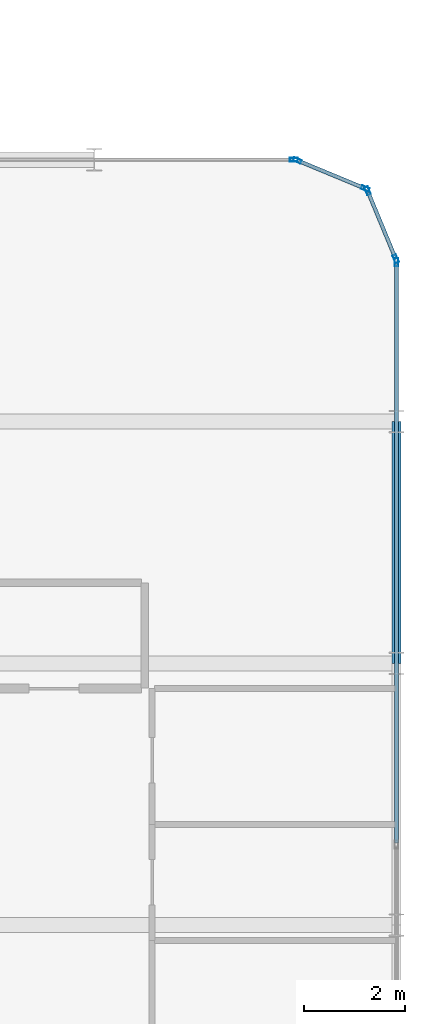
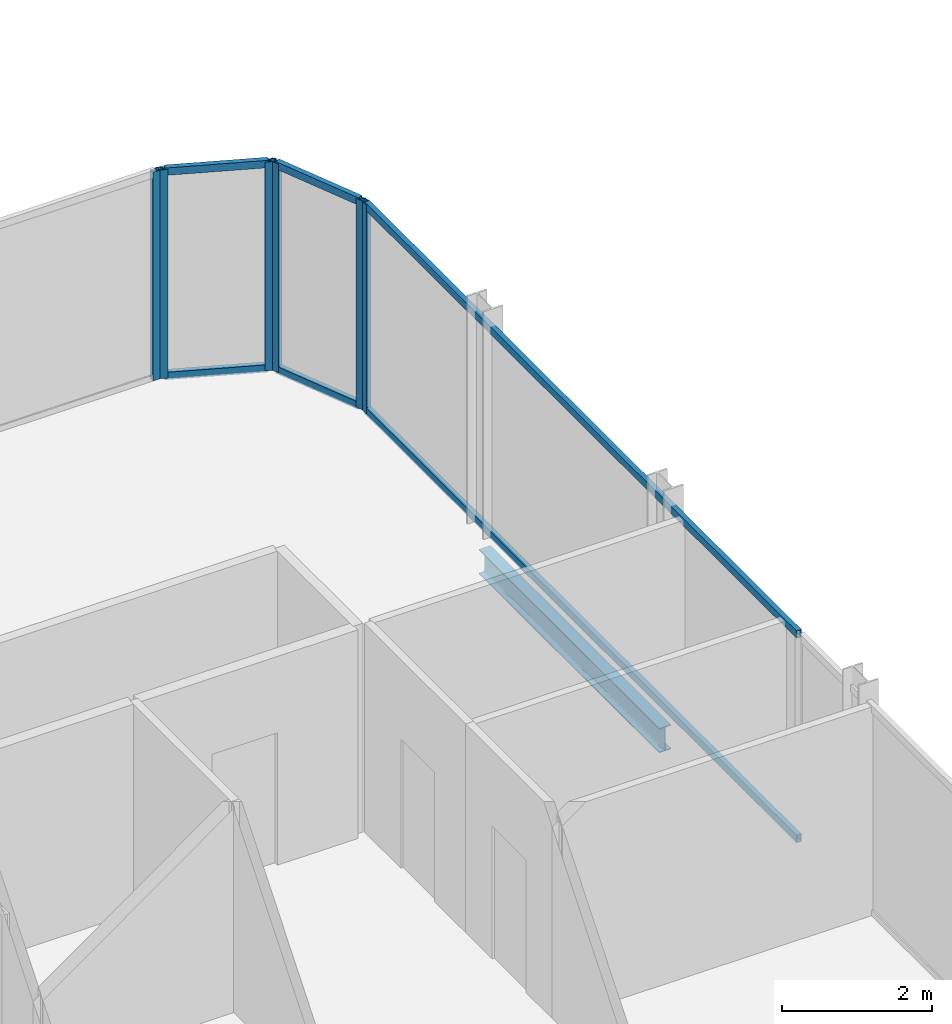
# One storey, part 15 of 29: 12 members, 1 beam, 4 elements without a shape of their own.
"""IFC4 building model written with IfcOpenShell, lengths in metres."""

from ifc_helpers import new_model, si_unit, direction, frame, origin, origin_2d, place, context, subcontext, project, spatial, hollow_rectangle, i_section, extrude, material, layer, layer_set, material_profile, profile_set, type_object, element, aggregate, save


model = new_model("IFC4")

# Units and contexts
model_context = context("Model", 3, precision=1e-05, world=origin(), true_north=direction((0.0, 1.0)))
body_context = subcontext(model_context, "Body", "Model", "MODEL_VIEW")
ifc_project = project(units=[si_unit("LENGTHUNIT", "METRE"), si_unit("AREAUNIT", "SQUARE_METRE"), si_unit("VOLUMEUNIT", "CUBIC_METRE"), si_unit("PLANEANGLEUNIT", "RADIAN"), si_unit("MASSUNIT", "GRAM", prefix="KILO")], contexts=[model_context])

# Site, building, storey
site_placement = place(None, origin())
site = spatial("IfcSite", under=ifc_project, at=site_placement, CompositionType="ELEMENT")
building_placement = place(site_placement, origin())
building = spatial("IfcBuilding", under=site, at=building_placement, Name="Keshet Zoharim Tower", CompositionType="ELEMENT")
storey_placement = place(building_placement, frame((0.0, 0.0, 222.800048828125)))
storey = spatial("IfcBuildingStorey", under=building, at=storey_placement, Name="L55", CompositionType="ELEMENT", Elevation=222.800048828125)

# Beam
ifc_material_1 = material(Name="Steel S355", Category="steel")
ifc_material_profile_1 = material_profile(ifc_material_1, i_section(OverallWidth=0.179931640625, OverallDepth=0.39990234375, WebThickness=0.008544921875, FlangeThickness=0.013427734375, FilletRadius=0.02099609375, at=origin_2d()), Name="IPE400")
ifc_profile_set_1 = profile_set([ifc_material_profile_1], Name="Steel S355")
beam_type = type_object("IfcBeamType", Name="BM-PRI-IP400", PredefinedType="BEAM", material=ifc_profile_set_1)
beam_placement = place(storey_placement, frame((57.0, 17.89990234375, -0.510009765625), z_axis=(0.0, 1.0, 0.0), x_axis=(-1.0, 0.0, 0.0)))
element("IfcBeam", 1, at=beam_placement, inside=storey, type_object=beam_type, Name="L55 Primary Girder Y-015", PredefinedType="BEAM", context=body_context, shape_type="SweptSolid", body=[
    extrude(i_section(OverallWidth=0.179931640625, OverallDepth=0.39990234375, WebThickness=0.008544921875, FlangeThickness=0.013427734375, FilletRadius=0.02099609375, at=origin_2d()), origin(), (0.0, 0.0, 1.0), 4.800048828125),
])

# Curtain wall, members
ifc_material_2 = material(Name="Aluminium 6063-T6", Category="aluminium")
ifc_layer = layer(ifc_material_2, 0.139892578125)
ifc_layer_set = layer_set([ifc_layer], Name="Aluminium 6063-T6")
curtain_wall_type = type_object("IfcCurtainWallType", Name="CW-SYS-05", PredefinedType="NOTDEFINED", material=ifc_layer_set)
curtain_wall_1_placement = place(storey_placement, origin())
curtain_wall_1 = element("IfcCurtainWall", 2, at=curtain_wall_1_placement, inside=storey, type_object=curtain_wall_type, Name="L55 Unitised Curtain Wall 01", PredefinedType="NOTDEFINED")
ifc_material_profile_2 = material_profile(ifc_material_2, hollow_rectangle(XDim=0.074951171875, YDim=0.159912109375, WallThickness=0.00390625, at=origin_2d()), Name="MUL-75x160")
ifc_profile_set_2 = profile_set([ifc_material_profile_2], Name="Aluminium 6063-T6")
member_type_1 = type_object("IfcMemberType", Name="CWM-M15", PredefinedType="MULLION", material=ifc_profile_set_2)
member_1_placement = place(storey_placement, frame((55.0322265625, 27.88671875, 0.0), z_axis=(0.0, 0.0, 1.0), x_axis=(0.382851849847, 0.92380975372, 0.0)))
member_1 = element("IfcMember", 3, at=member_1_placement, type_object=member_type_1, Name="CW-05 mullion 1", PredefinedType="MULLION", context=body_context, shape_type="SweptSolid", body=[
    extrude(hollow_rectangle(XDim=0.074951171875, YDim=0.159912109375, WallThickness=0.00390625, at=origin_2d()), origin(), (0.0, 0.0, 1.0), 3.389892578125),
])
member_2_placement = place(storey_placement, frame((56.381591796875, 27.327392578125, 0.0), z_axis=(0.0, 0.0, 1.0), x_axis=(0.382851849847, 0.92380975372, 0.0)))
member_2 = element("IfcMember", 4, at=member_2_placement, type_object=member_type_1, Name="CW-05 mullion 2", PredefinedType="MULLION", context=body_context, shape_type="SweptSolid", body=[
    extrude(hollow_rectangle(XDim=0.074951171875, YDim=0.159912109375, WallThickness=0.00390625, at=origin_2d()), origin(), (0.0, 0.0, 1.0), 3.389892578125),
])

curtain_wall_2_placement = place(storey_placement, origin())
curtain_wall_2 = element("IfcCurtainWall", 5, at=curtain_wall_2_placement, inside=storey, type_object=curtain_wall_type, Name="L55 Unitised Curtain Wall 02", PredefinedType="NOTDEFINED")
member_3_placement = place(storey_placement, frame((56.427490234375, 27.28173828125, 0.0), z_axis=(0.0, 0.0, 1.0), x_axis=(0.92380975372, 0.382851849847, 0.0)))
member_3 = element("IfcMember", 6, at=member_3_placement, type_object=member_type_1, Name="CW-05 mullion 1", PredefinedType="MULLION", context=body_context, shape_type="SweptSolid", body=[
    extrude(hollow_rectangle(XDim=0.074951171875, YDim=0.159912109375, WallThickness=0.00390625, at=origin_2d()), origin(), (0.0, 0.0, 1.0), 3.389892578125),
])
member_4_placement = place(storey_placement, frame((56.986572265625, 25.932373046875, 0.0), z_axis=(0.0, 0.0, 1.0), x_axis=(0.92380975372, 0.382851849847, 0.0)))
member_4 = element("IfcMember", 7, at=member_4_placement, type_object=member_type_1, Name="CW-05 mullion 2", PredefinedType="MULLION", context=body_context, shape_type="SweptSolid", body=[
    extrude(hollow_rectangle(XDim=0.074951171875, YDim=0.159912109375, WallThickness=0.00390625, at=origin_2d()), origin(), (0.0, 0.0, 1.0), 3.389892578125),
])

# Curtain wall, member
curtain_wall_3_placement = place(storey_placement, origin())
curtain_wall_3 = element("IfcCurtainWall", 8, at=curtain_wall_3_placement, inside=storey, type_object=curtain_wall_type, Name="L55 Unitised Curtain Wall 03", PredefinedType="NOTDEFINED")
member_5_placement = place(storey_placement, frame((57.0, 25.864990234375, 0.0), z_axis=(0.0, 0.0, 1.0), x_axis=(1.0, 0.0, 0.0)))
member_5 = element("IfcMember", 9, at=member_5_placement, type_object=member_type_1, Name="CW-05 mullion 1", PredefinedType="MULLION", context=body_context, shape_type="SweptSolid", body=[
    extrude(hollow_rectangle(XDim=0.074951171875, YDim=0.159912109375, WallThickness=0.00390625, at=origin_2d()), origin(), (0.0, 0.0, 1.0), 3.389892578125),
])

curtain_wall_4_placement = place(storey_placement, origin())
curtain_wall_4 = element("IfcCurtainWall", 10, at=curtain_wall_4_placement, inside=storey, type_object=curtain_wall_type, Name="L55 Unitised Curtain Wall 20 Part 2", PredefinedType="NOTDEFINED")
member_6_placement = place(storey_placement, frame((54.965087890625, 27.89990234375, 0.0), z_axis=(0.0, 0.0, 1.0), x_axis=(0.0, 1.0, 0.0)))
member_6 = element("IfcMember", 11, at=member_6_placement, type_object=member_type_1, Name="CW-05 mullion 2", PredefinedType="MULLION", context=body_context, shape_type="SweptSolid", body=[
    extrude(hollow_rectangle(XDim=0.074951171875, YDim=0.159912109375, WallThickness=0.00390625, at=origin_2d()), origin(), (0.0, 0.0, 1.0), 3.389892578125),
])
aggregate(curtain_wall_4, [member_6])

# Member
ifc_material_profile_3 = material_profile(ifc_material_2, hollow_rectangle(XDim=0.074951171875, YDim=0.1201171875, WallThickness=0.00390625, at=origin_2d()), Name="TRN-75x120")
ifc_profile_set_3 = profile_set([ifc_material_profile_3], Name="Aluminium 6063-T6")
member_type_2 = type_object("IfcMemberType", Name="CWT-T12", PredefinedType="USERDEFINED", material=ifc_profile_set_3)
member_7_placement = place(storey_placement, frame((55.064697265625, 27.873291015625, 0.034912109375), z_axis=(0.92379209995, -0.382894445076, 0.0), x_axis=(0.382894445076, 0.92379209995, 0.0)))
member_7 = element("IfcMember", 12, at=member_7_placement, type_object=member_type_2, Name="CW-05 transom 1.1", ObjectType="TRANSOM", PredefinedType="USERDEFINED", context=body_context, shape_type="SweptSolid", body=[
    extrude(hollow_rectangle(XDim=0.074951171875, YDim=0.1201171875, WallThickness=0.00390625, at=origin_2d()), origin(), (0.0, 0.0, 1.0), 1.390625),
])

member_8_placement = place(storey_placement, frame((55.064697265625, 27.873291015625, 3.35498046875), z_axis=(0.92379209995, -0.382894445076, 0.0), x_axis=(0.382894445076, 0.92379209995, 0.0)))
member_8 = element("IfcMember", 13, at=member_8_placement, type_object=member_type_2, Name="CW-05 transom 1.2", ObjectType="TRANSOM", PredefinedType="USERDEFINED", context=body_context, shape_type="SweptSolid", body=[
    extrude(hollow_rectangle(XDim=0.074951171875, YDim=0.1201171875, WallThickness=0.00390625, at=origin_2d()), origin(), (0.0, 0.0, 1.0), 1.390625),
])

aggregate(curtain_wall_1, [member_1, member_2, member_7, member_8])

member_9_placement = place(storey_placement, frame((56.44091796875, 27.249267578125, 0.034912109375), z_axis=(0.382744609247, -0.923854189844, 0.0), x_axis=(0.923854189844, 0.382744609247, 0.0)))
member_9 = element("IfcMember", 14, at=member_9_placement, type_object=member_type_2, Name="CW-05 transom 1.1", ObjectType="TRANSOM", PredefinedType="USERDEFINED", context=body_context, shape_type="SweptSolid", body=[
    extrude(hollow_rectangle(XDim=0.074951171875, YDim=0.1201171875, WallThickness=0.00390625, at=origin_2d()), origin(), (0.0, 0.0, 1.0), 1.390625),
])

member_10_placement = place(storey_placement, frame((56.44091796875, 27.249267578125, 3.35498046875), z_axis=(0.382744609247, -0.923854189844, 0.0), x_axis=(0.923854189844, 0.382744609247, 0.0)))
member_10 = element("IfcMember", 15, at=member_10_placement, type_object=member_type_2, Name="CW-05 transom 1.2", ObjectType="TRANSOM", PredefinedType="USERDEFINED", context=body_context, shape_type="SweptSolid", body=[
    extrude(hollow_rectangle(XDim=0.074951171875, YDim=0.1201171875, WallThickness=0.00390625, at=origin_2d()), origin(), (0.0, 0.0, 1.0), 1.390625),
])

aggregate(curtain_wall_2, [member_3, member_4, member_9, member_10])

member_11_placement = place(storey_placement, frame((57.0, 25.830078125, 0.034912109375), z_axis=(0.0, -1.0, 0.0), x_axis=(1.0, 0.0, 0.0)))
member_11 = element("IfcMember", 16, at=member_11_placement, type_object=member_type_2, Name="CW-05 transom 1.1", ObjectType="TRANSOM", PredefinedType="USERDEFINED", context=body_context, shape_type="SweptSolid", body=[
    extrude(hollow_rectangle(XDim=0.074951171875, YDim=0.1201171875, WallThickness=0.00390625, at=origin_2d()), origin(), (0.0, 0.0, 1.0), 11.4951171875),
])

member_12_placement = place(storey_placement, frame((57.0, 25.830078125, 3.35498046875), z_axis=(0.0, -1.0, 0.0), x_axis=(1.0, 0.0, 0.0)))
member_12 = element("IfcMember", 17, at=member_12_placement, type_object=member_type_2, Name="CW-05 transom 1.2", ObjectType="TRANSOM", PredefinedType="USERDEFINED", context=body_context, shape_type="SweptSolid", body=[
    extrude(hollow_rectangle(XDim=0.074951171875, YDim=0.1201171875, WallThickness=0.00390625, at=origin_2d()), origin(), (0.0, 0.0, 1.0), 11.4951171875),
])

aggregate(curtain_wall_3, [member_5, member_11, member_12])

save(model, "model.ifc")
